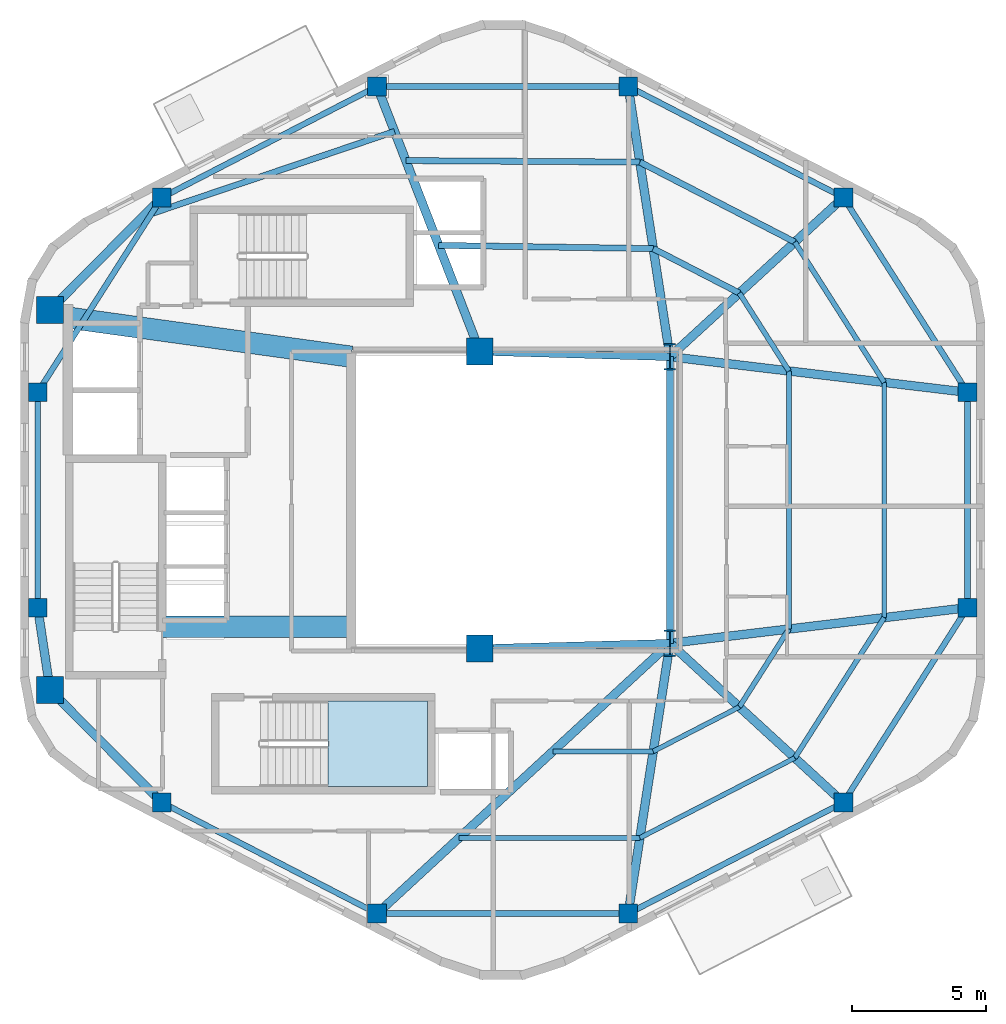
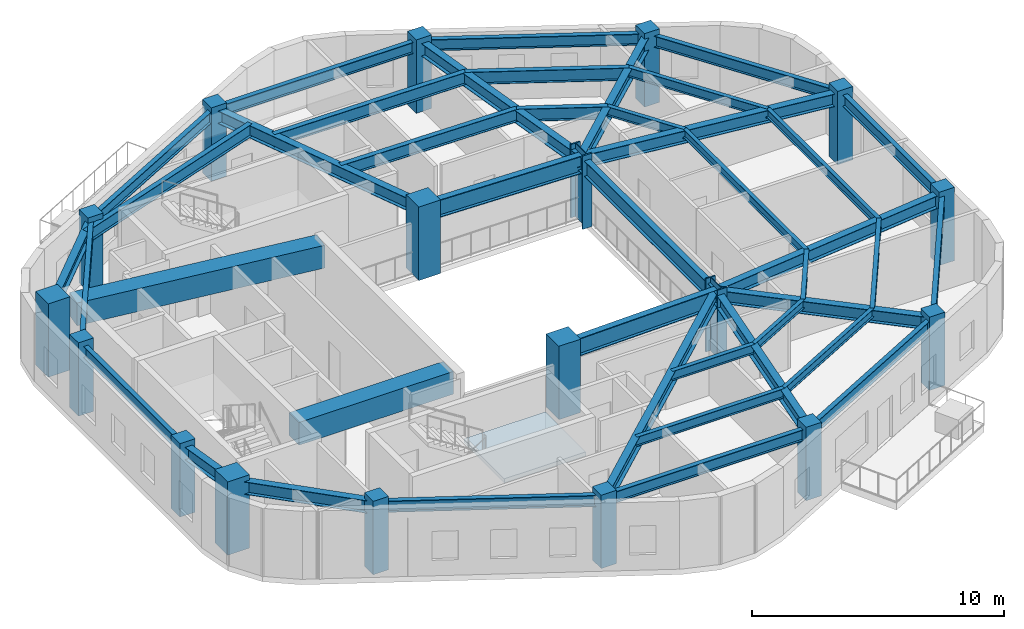
# One storey, part 1 of 7: 42 beams, 18 columns, 1 slab, 1 element without a shape of its own.
"""IFC4 building model written with IfcOpenShell, lengths in metres."""

from ifc_helpers import new_model, si_unit, direction, frame, origin, origin_2d, place, context, subcontext, project, spatial, polyline, rectangle, i_section, outline, extrude, material, layer, layer_set, material_profile, profile_set, type_object, element, aggregate, save


model = new_model("IFC4")

# Units and contexts
model_context = context("Model", 3, precision=1e-05, world=origin(), true_north=direction((0.0, 1.0)))
body_context = subcontext(model_context, "Body", "Model", "MODEL_VIEW")
ifc_project = project(units=[si_unit("LENGTHUNIT", "METRE"), si_unit("AREAUNIT", "SQUARE_METRE"), si_unit("VOLUMEUNIT", "CUBIC_METRE"), si_unit("PLANEANGLEUNIT", "RADIAN"), si_unit("MASSUNIT", "GRAM", prefix="KILO"), si_unit("THERMODYNAMICTEMPERATUREUNIT", "KELVIN"), si_unit("POWERUNIT", "WATT")], contexts=[model_context])

# Site, building, storey
site_placement = place(None, origin())
site = spatial("IfcSite", under=ifc_project, at=site_placement, CompositionType="ELEMENT")
building_placement = place(site_placement, origin())
building = spatial("IfcBuilding", under=site, at=building_placement, Name="Skarre Station Tower", CompositionType="ELEMENT")
storey_placement = place(building_placement, frame((0.0, 0.0, 249.0)))
storey = spatial("IfcBuildingStorey", under=building, at=storey_placement, Name="L68", CompositionType="ELEMENT", Elevation=249.0)

# Columns
ifc_material_1 = material(Name="Concrete C60/75", Category="concrete")
ifc_material_profile_1 = material_profile(ifc_material_1, rectangle(XDim=1.0, YDim=1.0, at=origin_2d()), Name="Concrete C60/75")
ifc_profile_set_1 = profile_set([ifc_material_profile_1], Name="Concrete C60/75")
column_type_1 = type_object("IfcColumnType", Name="RC Structural Column RC-COL-1000X1000", PredefinedType="COLUMN", material=ifc_profile_set_1)
for number, where, z_axis, x_axis, name in (
    (1, (16.300048828125, 16.89990234375, 0.0), (0.0, 0.0, 1.0), (1.0, 0.0, 0.0), "L68 Core Column CC-SW"),
    (2, (16.300048828125, 31.10009765625, 0.0), (0.0, 0.0, 1.0), (1.0, 0.0, 0.0), "L68 Core Column CC-NW"),
    (3, (32.35009765625, 18.449951171875, 0.0), (0.0, 0.0, 1.0), (1.0, 0.0, 0.0), "L68 Core Column CC-SE"),
    (4, (32.35009765625, 29.550048828125, 0.0), (0.0, 0.0, 1.0), (1.0, 0.0, 0.0), "L68 Core Column CC-NE"),
):
    element("IfcColumn", number, at=place(storey_placement, frame(where, z_axis=z_axis, x_axis=x_axis)), inside=storey, type_object=column_type_1, Name=name, PredefinedType="COLUMN", context=body_context, shape_type="SweptSolid", body=[
        extrude(rectangle(XDim=1.0, YDim=1.0, at=origin_2d()), origin(), (0.0, 0.0, 1.0), 3.550048828125),
    ])
ifc_material_2 = material(Name="Concrete C50/60", Category="concrete")
ifc_material_profile_2 = material_profile(ifc_material_2, rectangle(XDim=0.699951171875, YDim=0.699951171875, at=origin_2d()), Name="Concrete C50/60")
ifc_profile_set_2 = profile_set([ifc_material_profile_2], Name="Concrete C50/60")
column_type_2 = type_object("IfcColumnType", Name="RC Structural Column RC-COL-700X700", PredefinedType="COLUMN", material=ifc_profile_set_2)
for number, where, z_axis, x_axis, name in (
    (5, (45.927001953125, 35.298095703125, 0.0), (0.0, 0.0, 1.0), (1.0, 0.0, 0.0), "L68 Zone 4 Perimeter Column F0C1"),
    (6, (37.888916015625, 39.447021484375, 0.0), (0.0, 0.0, 1.0), (1.0, 0.0, 0.0), "L68 Zone 4 Perimeter Column F0C2"),
    (7, (28.510986328125, 39.447021484375, 0.0), (0.0, 0.0, 1.0), (1.0, 0.0, 0.0), "L68 Zone 4 Perimeter Column F1C1"),
    (8, (20.472900390625, 35.298095703125, 0.0), (0.0, 0.0, 1.0), (1.0, 0.0, 0.0), "L68 Zone 4 Perimeter Column F1C2"),
    (9, (15.8369140625, 28.02099609375, 0.0), (0.0, 0.0, 1.0), (1.0, 0.0, 0.0), "L68 Zone 4 Perimeter Column F2C1"),
    (10, (15.8369140625, 19.97900390625, 0.0), (0.0, 0.0, 1.0), (1.0, 0.0, 0.0), "L68 Zone 4 Perimeter Column F2C2"),
    (11, (20.472900390625, 12.701904296875, 0.0), (0.0, 0.0, 1.0), (1.0, 0.0, 0.0), "L68 Zone 4 Perimeter Column F3C1"),
    (12, (28.510986328125, 8.552978515625, 0.0), (0.0, 0.0, 1.0), (1.0, 0.0, 0.0), "L68 Zone 4 Perimeter Column F3C2"),
    (13, (37.888916015625, 8.552978515625, 0.0), (0.0, 0.0, 1.0), (1.0, 0.0, 0.0), "L68 Zone 4 Perimeter Column F4C1"),
    (14, (45.927001953125, 12.701904296875, 0.0), (0.0, 0.0, 1.0), (1.0, 0.0, 0.0), "L68 Zone 4 Perimeter Column F4C2"),
    (15, (50.56298828125, 19.97900390625, 0.0), (0.0, 0.0, 1.0), (1.0, 0.0, 0.0), "L68 Zone 4 Perimeter Column F5C1"),
    (16, (50.56298828125, 28.02099609375, 0.0), (0.0, 0.0, 1.0), (1.0, 0.0, 0.0), "L68 Zone 4 Perimeter Column F5C2"),
):
    element("IfcColumn", number, at=place(storey_placement, frame(where, z_axis=z_axis, x_axis=x_axis)), inside=storey, type_object=column_type_2, Name=name, PredefinedType="COLUMN", context=body_context, shape_type="SweptSolid", body=[
        extrude(rectangle(XDim=0.699951171875, YDim=0.699951171875, at=origin_2d()), origin(), (0.0, 0.0, 1.0), 3.550048828125),
    ])
ifc_material_3 = material(Name="Steel ASTM A913 Grade 65", Category="steel")
ifc_material_profile_3 = material_profile(ifc_material_3, i_section(OverallWidth=0.430908203125, OverallDepth=0.987060546875, WebThickness=0.033935546875, FlangeThickness=0.06201171875, at=origin_2d()), Name="Steel ASTM A913 Grade 65")
ifc_profile_set_3 = profile_set([ifc_material_profile_3], Name="Steel ASTM A913 Grade 65")
column_type_3 = type_object("IfcColumnType", Name="Steel Column W36X441", PredefinedType="COLUMN", material=ifc_profile_set_3)
for number, where, z_axis, x_axis, name in (
    (17, (39.449951171875, 18.64990234375, 0.0), (0.0, 0.0, 1.0), (1.0, 0.0, 0.0), "L68 Atrium Spine Column AC-SE"),
    (18, (39.449951171875, 29.35009765625, 0.0), (0.0, 0.0, 1.0), (1.0, 0.0, 0.0), "L68 Atrium Spine Column AC-NE"),
):
    element("IfcColumn", number, at=place(storey_placement, frame(where, z_axis=z_axis, x_axis=x_axis)), inside=storey, type_object=column_type_3, Name=name, PredefinedType="COLUMN", context=body_context, shape_type="SweptSolid", body=[
        extrude(i_section(OverallWidth=0.430908203125, OverallDepth=0.987060546875, WebThickness=0.033935546875, FlangeThickness=0.06201171875, at=origin_2d()), origin(), (0.0, 0.0, 1.0), 3.550048828125),
    ])

# Beams
ifc_material_4 = material(Name="Concrete C70/85", Category="concrete")
ifc_material_profile_4 = material_profile(ifc_material_4, rectangle(XDim=0.800048828125, YDim=1.10009765625, at=origin_2d()), Name="Concrete C70/85")
ifc_profile_set_4 = profile_set([ifc_material_profile_4], Name="Concrete C70/85")
beam_type_1 = type_object("IfcBeamType", Name="RC Core Coupling Lintel 800x1100", PredefinedType="LINTEL", material=ifc_profile_set_4)
beam_1_placement = place(storey_placement, frame((20.489990234375, 19.260009765625, 2.739990234375), z_axis=(1.0, 0.0, 0.0), x_axis=(0.0, 1.0, 0.0)))
element("IfcBeam", 19, at=beam_1_placement, inside=storey, type_object=beam_type_1, Name="L68 South Core Coupling Lintel", PredefinedType="LINTEL", context=body_context, shape_type="SweptSolid", body=[
    extrude(rectangle(XDim=0.800048828125, YDim=1.10009765625, at=origin_2d()), origin(), (0.0, 0.0, 1.0), 7.06005859375),
])
beam_2_placement = place(storey_placement, frame((17.050048828125, 30.800048828125, 2.739990234375), z_axis=(0.990599723633, -0.136792498109, 0.0), x_axis=(0.136792498109, 0.990599723633, 0.0)))
element("IfcBeam", 20, at=beam_2_placement, inside=storey, type_object=beam_type_1, Name="L68 North Core Coupling Lintel", PredefinedType="LINTEL", context=body_context, shape_type="SweptSolid", body=[
    extrude(rectangle(XDim=0.800048828125, YDim=1.10009765625, at=origin_2d()), origin(), (0.0, 0.0, 1.0), 10.599609375),
])
ifc_material_5 = material(Name="Steel ASTM A992 Grade 50", Category="steel")
ifc_material_profile_5 = material_profile(ifc_material_5, i_section(OverallWidth=0.323974609375, OverallDepth=0.611083984375, WebThickness=0.012939453125, FlangeThickness=0.01904296875, at=origin_2d()), Name="Steel ASTM A992 Grade 50")
ifc_profile_set_5 = profile_set([ifc_material_profile_5], Name="Steel ASTM A992 Grade 50")
beam_type_2 = type_object("IfcBeamType", Name="Steel Beam W24X104", PredefinedType="BEAM", material=ifc_profile_set_5)
beam_3_placement = place(storey_placement, frame((39.449951171875, 29.35009765625, 2.98388671875), z_axis=(0.736547671183, 0.676385635621, 0.0), x_axis=(-0.676385635621, 0.736547671183, 0.0)))
element("IfcBeam", 21, at=beam_3_placement, inside=storey, type_object=beam_type_2, Name="L68 Radial Floor Girder F0C1", PredefinedType="BEAM", context=body_context, shape_type="SweptSolid", body=[
    extrude(i_section(OverallWidth=0.323974609375, OverallDepth=0.611083984375, WebThickness=0.012939453125, FlangeThickness=0.01904296875, at=origin_2d()), origin(), (0.0, 0.0, 1.0), 8.793701171875),
])
beam_4_placement = place(storey_placement, frame((39.449951171875, 29.35009765625, 2.98388671875), z_axis=(-0.152789762931, 0.988258715288, 0.0), x_axis=(-0.988258715288, -0.152789762931, 0.0)))
element("IfcBeam", 22, at=beam_4_placement, inside=storey, type_object=beam_type_2, Name="L68 Radial Floor Girder F0C2", PredefinedType="BEAM", context=body_context, shape_type="SweptSolid", body=[
    extrude(i_section(OverallWidth=0.323974609375, OverallDepth=0.611083984375, WebThickness=0.012939453125, FlangeThickness=0.01904296875, at=origin_2d()), origin(), (0.0, 0.0, 1.0), 10.216796875),
])
beam_5_placement = place(storey_placement, frame((32.35009765625, 29.550048828125, 2.98388671875), z_axis=(-0.361651478681, 0.932313363611, 0.0), x_axis=(-0.932313363611, -0.361651478681, 0.0)))
element("IfcBeam", 23, at=beam_5_placement, inside=storey, type_object=beam_type_2, Name="L68 Radial Floor Girder F1C1", PredefinedType="BEAM", context=body_context, shape_type="SweptSolid", body=[
    extrude(i_section(OverallWidth=0.323974609375, OverallDepth=0.611083984375, WebThickness=0.012939453125, FlangeThickness=0.01904296875, at=origin_2d()), origin(), (0.0, 0.0, 1.0), 10.615478515625),
])
beam_6_placement = place(storey_placement, frame((16.300048828125, 31.10009765625, 2.98388671875), z_axis=(0.704979413242, 0.709227768002, 0.0), x_axis=(-0.709227768002, 0.704979413242, 0.0)))
element("IfcBeam", 24, at=beam_6_placement, inside=storey, type_object=beam_type_2, Name="L68 Radial Floor Girder F1C2", PredefinedType="BEAM", context=body_context, shape_type="SweptSolid", body=[
    extrude(i_section(OverallWidth=0.323974609375, OverallDepth=0.611083984375, WebThickness=0.012939453125, FlangeThickness=0.01904296875, at=origin_2d()), origin(), (0.0, 0.0, 1.0), 5.919189453125),
])
beam_7_placement = place(storey_placement, frame((16.300048828125, 16.89990234375, 2.98388671875), z_axis=(-0.148739188492, 0.988876460336, 0.0), x_axis=(-0.988876460336, -0.148739188492, 0.0)))
element("IfcBeam", 25, at=beam_7_placement, inside=storey, type_object=beam_type_2, Name="L68 Radial Floor Girder F2C2", PredefinedType="BEAM", context=body_context, shape_type="SweptSolid", body=[
    extrude(i_section(OverallWidth=0.323974609375, OverallDepth=0.611083984375, WebThickness=0.012939453125, FlangeThickness=0.01904296875, at=origin_2d()), origin(), (0.0, 0.0, 1.0), 3.11376953125),
])
beam_8_placement = place(storey_placement, frame((16.300048828125, 16.89990234375, 2.98388671875), z_axis=(0.704979413242, -0.709227768002, 0.0), x_axis=(0.709227768002, 0.704979413242, 0.0)))
element("IfcBeam", 26, at=beam_8_placement, inside=storey, type_object=beam_type_2, Name="L68 Radial Floor Girder F3C1", PredefinedType="BEAM", context=body_context, shape_type="SweptSolid", body=[
    extrude(i_section(OverallWidth=0.323974609375, OverallDepth=0.611083984375, WebThickness=0.012939453125, FlangeThickness=0.01904296875, at=origin_2d()), origin(), (0.0, 0.0, 1.0), 5.919189453125),
])
beam_9_placement = place(storey_placement, frame((39.449951171875, 18.64990234375, 2.98388671875), z_axis=(-0.734822935818, -0.678258986668, 0.0), x_axis=(0.678258986668, -0.734822935818, 0.0)))
element("IfcBeam", 27, at=beam_9_placement, inside=storey, type_object=beam_type_2, Name="L68 Radial Floor Girder F3C2", PredefinedType="BEAM", context=body_context, shape_type="SweptSolid", body=[
    extrude(i_section(OverallWidth=0.323974609375, OverallDepth=0.611083984375, WebThickness=0.012939453125, FlangeThickness=0.01904296875, at=origin_2d()), origin(), (0.0, 0.0, 1.0), 14.886474609375),
])
beam_10_placement = place(storey_placement, frame((39.449951171875, 18.64990234375, 2.98388671875), z_axis=(-0.152789762931, -0.988258715288, 0.0), x_axis=(0.988258715288, -0.152789762931, 0.0)))
element("IfcBeam", 28, at=beam_10_placement, inside=storey, type_object=beam_type_2, Name="L68 Radial Floor Girder F4C1", PredefinedType="BEAM", context=body_context, shape_type="SweptSolid", body=[
    extrude(i_section(OverallWidth=0.323974609375, OverallDepth=0.611083984375, WebThickness=0.012939453125, FlangeThickness=0.01904296875, at=origin_2d()), origin(), (0.0, 0.0, 1.0), 10.216796875),
])
beam_11_placement = place(storey_placement, frame((39.449951171875, 18.64990234375, 2.98388671875), z_axis=(0.736547671183, -0.676385635621, 0.0), x_axis=(0.676385635621, 0.736547671183, 0.0)))
element("IfcBeam", 29, at=beam_11_placement, inside=storey, type_object=beam_type_2, Name="L68 Radial Floor Girder F4C2", PredefinedType="BEAM", context=body_context, shape_type="SweptSolid", body=[
    extrude(i_section(OverallWidth=0.323974609375, OverallDepth=0.611083984375, WebThickness=0.012939453125, FlangeThickness=0.01904296875, at=origin_2d()), origin(), (0.0, 0.0, 1.0), 8.793701171875),
])
for number, where, z_axis, x_axis, name in (
    (30, (39.449951171875, 18.64990234375, 2.98388671875), (0.99292393128, 0.118752122891, 0.0), (-0.118752122891, 0.99292393128, 0.0), "L68 Radial Floor Girder F5C1"),
    (31, (39.449951171875, 29.35009765625, 2.98388671875), (0.99292393128, -0.118752122891, 0.0), (0.118752122891, 0.99292393128, 0.0), "L68 Radial Floor Girder F5C2"),
):
    element("IfcBeam", number, at=place(storey_placement, frame(where, z_axis=z_axis, x_axis=x_axis)), inside=storey, type_object=beam_type_2, Name=name, PredefinedType="BEAM", context=body_context, shape_type="SweptSolid", body=[
        extrude(i_section(OverallWidth=0.323974609375, OverallDepth=0.611083984375, WebThickness=0.012939453125, FlangeThickness=0.01904296875, at=origin_2d()), origin(), (0.0, 0.0, 1.0), 11.192138671875),
    ])
ifc_material_profile_6 = material_profile(ifc_material_5, i_section(OverallWidth=0.26806640625, OverallDepth=0.77001953125, WebThickness=0.01611328125, FlangeThickness=0.02490234375, at=origin_2d()), Name="Steel ASTM A992 Grade 50")
ifc_profile_set_6 = profile_set([ifc_material_profile_6], Name="Steel ASTM A992 Grade 50")
beam_type_3 = type_object("IfcBeamType", Name="Steel Beam W30X132", PredefinedType="BEAM", material=ifc_profile_set_6)
beam_12_placement = place(storey_placement, frame((39.449951171875, 18.64990234375, 2.905029296875), z_axis=(0.0, 1.0, 0.0), x_axis=(-1.0, 0.0, 0.0)))
element("IfcBeam", 32, at=beam_12_placement, inside=storey, type_object=beam_type_3, Name="L68 Atrium East Edge Girder", PredefinedType="BEAM", context=body_context, shape_type="SweptSolid", body=[
    extrude(i_section(OverallWidth=0.26806640625, OverallDepth=0.77001953125, WebThickness=0.01611328125, FlangeThickness=0.02490234375, at=origin_2d()), origin(), (0.0, 0.0, 1.0), 10.7001953125),
])
ifc_material_profile_7 = material_profile(ifc_material_5, i_section(OverallWidth=0.2919921875, OverallDepth=0.85888671875, WebThickness=0.01708984375, FlangeThickness=0.031005859375, at=origin_2d()), Name="Steel ASTM A992 Grade 50")
ifc_profile_set_7 = profile_set([ifc_material_profile_7], Name="Steel ASTM A992 Grade 50")
beam_type_4 = type_object("IfcBeamType", Name="Steel Beam W33X169", PredefinedType="BEAM", material=ifc_profile_set_7)
for number, where, z_axis, x_axis, name in (
    (33, (32.35009765625, 18.449951171875, 2.861083984375), (0.999603666405, 0.028151556095, 0.0), (-0.028151556095, 0.999603666405, 0.0), "L68 Atrium South Edge Girder"),
    (34, (32.35009765625, 29.550048828125, 2.861083984375), (0.999603666405, -0.028151556095, 0.0), (0.028151556095, 0.999603666405, 0.0), "L68 Atrium North Edge Girder"),
):
    element("IfcBeam", number, at=place(storey_placement, frame(where, z_axis=z_axis, x_axis=x_axis)), inside=storey, type_object=beam_type_4, Name=name, PredefinedType="BEAM", context=body_context, shape_type="SweptSolid", body=[
        extrude(i_section(OverallWidth=0.2919921875, OverallDepth=0.85888671875, WebThickness=0.01708984375, FlangeThickness=0.031005859375, at=origin_2d()), origin(), (0.0, 0.0, 1.0), 7.102783203125),
    ])
ifc_material_profile_8 = material_profile(ifc_material_5, i_section(OverallWidth=0.177978515625, OverallDepth=0.403076171875, WebThickness=0.008056640625, FlangeThickness=0.010986328125, at=origin_2d()), Name="Steel ASTM A992 Grade 50")
ifc_profile_set_8 = profile_set([ifc_material_profile_8], Name="Steel ASTM A992 Grade 50")
beam_type_5 = type_object("IfcBeamType", Name="Steel Joist W16X36", PredefinedType="JOIST", material=ifc_profile_set_8)
beam_13_placement = place(storey_placement, frame((38.825927734375, 14.611083984375, 3.087890625), z_axis=(0.888562989562, 0.458754633308, 0.0), x_axis=(-0.458754633308, 0.888562989562, 0.0)))
element("IfcBeam", 35, at=beam_13_placement, inside=storey, type_object=beam_type_5, Name="L68 Auxiliary Composite Joist 11", PredefinedType="JOIST", context=body_context, shape_type="SweptSolid", body=[
    extrude(i_section(OverallWidth=0.177978515625, OverallDepth=0.403076171875, WebThickness=0.008056640625, FlangeThickness=0.010986328125, at=origin_2d()), origin(), (0.0, 0.0, 1.0), 3.618408203125),
])
beam_14_placement = place(storey_placement, frame((38.325927734375, 11.3798828125, 3.087890625), z_axis=(0.888610306875, 0.458662972689, 0.0), x_axis=(-0.458662972689, 0.888610306875, 0.0)))
element("IfcBeam", 36, at=beam_14_placement, inside=storey, type_object=beam_type_5, Name="L68 Auxiliary Composite Joist 12", PredefinedType="JOIST", context=body_context, shape_type="SweptSolid", body=[
    extrude(i_section(OverallWidth=0.177978515625, OverallDepth=0.403076171875, WebThickness=0.008056640625, FlangeThickness=0.010986328125, at=origin_2d()), origin(), (0.0, 0.0, 1.0), 6.512451171875),
])
beam_15_placement = place(storey_placement, frame((43.89501953125, 19.181884765625, 3.087890625), z_axis=(0.0, 1.0, 0.0), x_axis=(-1.0, 0.0, 0.0)))
element("IfcBeam", 37, at=beam_15_placement, inside=storey, type_object=beam_type_5, Name="L68 Auxiliary Composite Joist 15", PredefinedType="JOIST", context=body_context, shape_type="SweptSolid", body=[
    extrude(i_section(OverallWidth=0.177978515625, OverallDepth=0.403076171875, WebThickness=0.008056640625, FlangeThickness=0.010986328125, at=origin_2d()), origin(), (0.0, 0.0, 1.0), 9.63623046875),
])
beam_16_placement = place(storey_placement, frame((47.450927734375, 19.60693359375, 3.087890625), z_axis=(0.0, 1.0, 0.0), x_axis=(-1.0, 0.0, 0.0)))
element("IfcBeam", 38, at=beam_16_placement, inside=storey, type_object=beam_type_5, Name="L68 Auxiliary Composite Joist 16", PredefinedType="JOIST", context=body_context, shape_type="SweptSolid", body=[
    extrude(i_section(OverallWidth=0.177978515625, OverallDepth=0.403076171875, WebThickness=0.008056640625, FlangeThickness=0.010986328125, at=origin_2d()), origin(), (0.0, 0.0, 1.0), 8.7861328125),
])
ifc_material_profile_9 = material_profile(ifc_material_5, i_section(OverallWidth=0.19091796875, OverallDepth=0.45703125, WebThickness=0.009033203125, FlangeThickness=0.013916015625, at=origin_2d()), Name="Steel ASTM A992 Grade 50")
ifc_profile_set_9 = profile_set([ifc_material_profile_9], Name="Steel ASTM A992 Grade 50")
beam_type_6 = type_object("IfcBeamType", Name="Steel Joist W18X50", PredefinedType="JOIST", material=ifc_profile_set_9)
beam_17_placement = place(storey_placement, frame((35.073974609375, 14.611083984375, 3.06103515625), z_axis=(1.0, 0.0, 0.0), x_axis=(0.0, 1.0, 0.0)))
element("IfcBeam", 39, at=beam_17_placement, inside=storey, type_object=beam_type_6, Name="L68 Auxiliary Composite Joist 9", PredefinedType="JOIST", context=body_context, shape_type="SweptSolid", body=[
    extrude(i_section(OverallWidth=0.19091796875, OverallDepth=0.45703125, WebThickness=0.009033203125, FlangeThickness=0.013916015625, at=origin_2d()), origin(), (0.0, 0.0, 1.0), 3.751953125),
])
beam_18_placement = place(storey_placement, frame((31.573974609375, 11.3798828125, 3.06103515625), z_axis=(1.0, 0.0, 0.0), x_axis=(0.0, 1.0, 0.0)))
element("IfcBeam", 40, at=beam_18_placement, inside=storey, type_object=beam_type_6, Name="L68 Auxiliary Composite Joist 10", PredefinedType="JOIST", context=body_context, shape_type="SweptSolid", body=[
    extrude(i_section(OverallWidth=0.19091796875, OverallDepth=0.45703125, WebThickness=0.009033203125, FlangeThickness=0.013916015625, at=origin_2d()), origin(), (0.0, 0.0, 1.0), 6.751953125),
])
beam_19_placement = place(storey_placement, frame((42.041015625, 16.27099609375, 3.06103515625), z_axis=(0.537209598798, 0.843448781468, 0.0), x_axis=(-0.843448781468, 0.537209598798, 0.0)))
element("IfcBeam", 41, at=beam_19_placement, inside=storey, type_object=beam_type_6, Name="L68 Auxiliary Composite Joist 13", PredefinedType="JOIST", context=body_context, shape_type="SweptSolid", body=[
    extrude(i_section(OverallWidth=0.19091796875, OverallDepth=0.45703125, WebThickness=0.009033203125, FlangeThickness=0.013916015625, at=origin_2d()), origin(), (0.0, 0.0, 1.0), 3.451171875),
])
beam_20_placement = place(storey_placement, frame((44.113037109375, 14.366943359375, 3.06103515625), z_axis=(0.537259384828, 0.843417069672, 0.0), x_axis=(-0.843417069672, 0.537259384828, 0.0)))
element("IfcBeam", 42, at=beam_20_placement, inside=storey, type_object=beam_type_6, Name="L68 Auxiliary Composite Joist 14", PredefinedType="JOIST", context=body_context, shape_type="SweptSolid", body=[
    extrude(i_section(OverallWidth=0.19091796875, OverallDepth=0.45703125, WebThickness=0.009033203125, FlangeThickness=0.013916015625, at=origin_2d()), origin(), (0.0, 0.0, 1.0), 6.212890625),
])
beam_21_placement = place(storey_placement, frame((43.89501953125, 28.818115234375, 3.06103515625), z_axis=(-0.537209598798, 0.843448781468, 0.0), x_axis=(-0.843448781468, -0.537209598798, 0.0)))
element("IfcBeam", 43, at=beam_21_placement, inside=storey, type_object=beam_type_6, Name="L68 Auxiliary Composite Joist 17", PredefinedType="JOIST", context=body_context, shape_type="SweptSolid", body=[
    extrude(i_section(OverallWidth=0.19091796875, OverallDepth=0.45703125, WebThickness=0.009033203125, FlangeThickness=0.013916015625, at=origin_2d()), origin(), (0.0, 0.0, 1.0), 3.451171875),
])
beam_22_placement = place(storey_placement, frame((47.450927734375, 28.39306640625, 3.06103515625), z_axis=(-0.537259384828, 0.843417069672, 0.0), x_axis=(-0.843417069672, -0.537259384828, 0.0)))
element("IfcBeam", 44, at=beam_22_placement, inside=storey, type_object=beam_type_6, Name="L68 Auxiliary Composite Joist 18", PredefinedType="JOIST", context=body_context, shape_type="SweptSolid", body=[
    extrude(i_section(OverallWidth=0.19091796875, OverallDepth=0.45703125, WebThickness=0.009033203125, FlangeThickness=0.013916015625, at=origin_2d()), origin(), (0.0, 0.0, 1.0), 6.212890625),
])
ifc_material_profile_10 = material_profile(ifc_material_5, i_section(OverallWidth=0.22802734375, OverallDepth=0.60791015625, WebThickness=0.010986328125, FlangeThickness=0.01708984375, at=origin_2d()), Name="Steel ASTM A992 Grade 50")
ifc_profile_set_10 = profile_set([ifc_material_profile_10], Name="Steel ASTM A992 Grade 50")
beam_type_7 = type_object("IfcBeamType", Name="Steel Joist W24X76", PredefinedType="JOIST", material=ifc_profile_set_10)
beam_23_placement = place(storey_placement, frame((42.041015625, 31.72900390625, 2.986083984375), z_axis=(-0.888562989562, 0.458754633308, 0.0), x_axis=(-0.458754633308, -0.888562989562, 0.0)))
element("IfcBeam", 45, at=beam_23_placement, inside=storey, type_object=beam_type_7, Name="L68 Secondary Floor Joist 1", PredefinedType="JOIST", context=body_context, shape_type="SweptSolid", body=[
    extrude(i_section(OverallWidth=0.22802734375, OverallDepth=0.60791015625, WebThickness=0.010986328125, FlangeThickness=0.01708984375, at=origin_2d()), origin(), (0.0, 0.0, 1.0), 3.618408203125),
])
beam_24_placement = place(storey_placement, frame((44.113037109375, 33.633056640625, 2.986083984375), z_axis=(-0.888610306875, 0.458662972689, 0.0), x_axis=(-0.458662972689, -0.888610306875, 0.0)))
element("IfcBeam", 46, at=beam_24_placement, inside=storey, type_object=beam_type_7, Name="L68 Secondary Floor Joist 2", PredefinedType="JOIST", context=body_context, shape_type="SweptSolid", body=[
    extrude(i_section(OverallWidth=0.22802734375, OverallDepth=0.60791015625, WebThickness=0.010986328125, FlangeThickness=0.01708984375, at=origin_2d()), origin(), (0.0, 0.0, 1.0), 6.512451171875),
])
beam_25_placement = place(storey_placement, frame((38.825927734375, 33.388916015625, 2.986083984375), z_axis=(-0.999887635467, 0.014990545042, 0.0), x_axis=(-0.014990545042, -0.999887635467, 0.0)))
element("IfcBeam", 47, at=beam_25_placement, inside=storey, type_object=beam_type_7, Name="L68 Secondary Floor Joist 3", PredefinedType="JOIST", context=body_context, shape_type="SweptSolid", body=[
    extrude(i_section(OverallWidth=0.22802734375, OverallDepth=0.60791015625, WebThickness=0.010986328125, FlangeThickness=0.01708984375, at=origin_2d()), origin(), (0.0, 0.0, 1.0), 8.012939453125),
])
beam_26_placement = place(storey_placement, frame((38.325927734375, 36.6201171875, 2.986083984375), z_axis=(-0.999979540932, 0.006396695854, 0.0), x_axis=(-0.006396695854, -0.999979540932, 0.0)))
element("IfcBeam", 48, at=beam_26_placement, inside=storey, type_object=beam_type_7, Name="L68 Secondary Floor Joist 4", PredefinedType="JOIST", context=body_context, shape_type="SweptSolid", body=[
    extrude(i_section(OverallWidth=0.22802734375, OverallDepth=0.60791015625, WebThickness=0.010986328125, FlangeThickness=0.01708984375, at=origin_2d()), origin(), (0.0, 0.0, 1.0), 8.740234375),
])
beam_27_placement = place(storey_placement, frame((29.1640625, 37.764892578125, 2.986083984375), z_axis=(-0.947236771085, -0.320534708736, 0.0), x_axis=(0.320534708736, -0.947236771085, 0.0)))
element("IfcBeam", 49, at=beam_27_placement, inside=storey, type_object=beam_type_7, Name="L68 Secondary Floor Joist 6", PredefinedType="JOIST", context=body_context, shape_type="SweptSolid", body=[
    extrude(i_section(OverallWidth=0.22802734375, OverallDepth=0.60791015625, WebThickness=0.010986328125, FlangeThickness=0.01708984375, at=origin_2d()), origin(), (0.0, 0.0, 1.0), 9.923828125),
])
ifc_material_profile_11 = material_profile(ifc_material_5, i_section(OverallWidth=0.214111328125, OverallDepth=0.549072265625, WebThickness=0.014892578125, FlangeThickness=0.02392578125, at=origin_2d()), Name="Steel ASTM A992 Grade 50")
ifc_profile_set_11 = profile_set([ifc_material_profile_11], Name="Steel ASTM A992 Grade 50")
beam_type_8 = type_object("IfcBeamType", Name="Steel Spandrel W21X93", PredefinedType="SPANDREL", material=ifc_profile_set_11)
beam_28_placement = place(storey_placement, frame((45.927001953125, 35.298095703125, 3.01611328125), z_axis=(-0.888610011727, 0.458663544505, 0.0), x_axis=(-0.458663544505, -0.888610011727, 0.0)))
element("IfcBeam", 50, at=beam_28_placement, inside=storey, type_object=beam_type_8, Name="L68 Facet Spandrel Beam 1", PredefinedType="SPANDREL", context=body_context, shape_type="SweptSolid", body=[
    extrude(i_section(OverallWidth=0.214111328125, OverallDepth=0.549072265625, WebThickness=0.014892578125, FlangeThickness=0.02392578125, at=origin_2d()), origin(), (0.0, 0.0, 1.0), 9.045654296875),
])
beam_29_placement = place(storey_placement, frame((37.888916015625, 39.447021484375, 3.01611328125), z_axis=(-1.0, 0.0, 0.0), x_axis=(0.0, -1.0, 0.0)))
element("IfcBeam", 51, at=beam_29_placement, inside=storey, type_object=beam_type_8, Name="L68 Facet Spandrel Beam 2", PredefinedType="SPANDREL", context=body_context, shape_type="SweptSolid", body=[
    extrude(i_section(OverallWidth=0.214111328125, OverallDepth=0.549072265625, WebThickness=0.014892578125, FlangeThickness=0.02392578125, at=origin_2d()), origin(), (0.0, 0.0, 1.0), 9.3779296875),
])
beam_30_placement = place(storey_placement, frame((28.510986328125, 39.447021484375, 3.01611328125), z_axis=(-0.888610011727, -0.458663544505, 0.0), x_axis=(0.458663544505, -0.888610011727, 0.0)))
element("IfcBeam", 52, at=beam_30_placement, inside=storey, type_object=beam_type_8, Name="L68 Facet Spandrel Beam 3", PredefinedType="SPANDREL", context=body_context, shape_type="SweptSolid", body=[
    extrude(i_section(OverallWidth=0.214111328125, OverallDepth=0.549072265625, WebThickness=0.014892578125, FlangeThickness=0.02392578125, at=origin_2d()), origin(), (0.0, 0.0, 1.0), 9.045654296875),
])
beam_31_placement = place(storey_placement, frame((20.472900390625, 35.298095703125, 3.01611328125), z_axis=(-0.537296523663, -0.843393410965, 0.0), x_axis=(0.843393410965, -0.537296523663, 0.0)))
element("IfcBeam", 53, at=beam_31_placement, inside=storey, type_object=beam_type_8, Name="L68 Facet Spandrel Beam 4", PredefinedType="SPANDREL", context=body_context, shape_type="SweptSolid", body=[
    extrude(i_section(OverallWidth=0.214111328125, OverallDepth=0.549072265625, WebThickness=0.014892578125, FlangeThickness=0.02392578125, at=origin_2d()), origin(), (0.0, 0.0, 1.0), 8.62841796875),
])
beam_32_placement = place(storey_placement, frame((15.8369140625, 28.02099609375, 3.01611328125), z_axis=(0.0, -1.0, 0.0), x_axis=(1.0, 0.0, 0.0)))
element("IfcBeam", 54, at=beam_32_placement, inside=storey, type_object=beam_type_8, Name="L68 Facet Spandrel Beam 5", PredefinedType="SPANDREL", context=body_context, shape_type="SweptSolid", body=[
    extrude(i_section(OverallWidth=0.214111328125, OverallDepth=0.549072265625, WebThickness=0.014892578125, FlangeThickness=0.02392578125, at=origin_2d()), origin(), (0.0, 0.0, 1.0), 8.0419921875),
])
beam_33_placement = place(storey_placement, frame((20.472900390625, 12.701904296875, 3.01611328125), z_axis=(0.888610011727, -0.458663544505, 0.0), x_axis=(0.458663544505, 0.888610011727, 0.0)))
element("IfcBeam", 55, at=beam_33_placement, inside=storey, type_object=beam_type_8, Name="L68 Facet Spandrel Beam 7", PredefinedType="SPANDREL", context=body_context, shape_type="SweptSolid", body=[
    extrude(i_section(OverallWidth=0.214111328125, OverallDepth=0.549072265625, WebThickness=0.014892578125, FlangeThickness=0.02392578125, at=origin_2d()), origin(), (0.0, 0.0, 1.0), 9.045654296875),
])
beam_34_placement = place(storey_placement, frame((28.510986328125, 8.552978515625, 3.01611328125), z_axis=(1.0, 0.0, 0.0), x_axis=(0.0, 1.0, 0.0)))
element("IfcBeam", 56, at=beam_34_placement, inside=storey, type_object=beam_type_8, Name="L68 Facet Spandrel Beam 8", PredefinedType="SPANDREL", context=body_context, shape_type="SweptSolid", body=[
    extrude(i_section(OverallWidth=0.214111328125, OverallDepth=0.549072265625, WebThickness=0.014892578125, FlangeThickness=0.02392578125, at=origin_2d()), origin(), (0.0, 0.0, 1.0), 9.3779296875),
])
beam_35_placement = place(storey_placement, frame((37.888916015625, 8.552978515625, 3.01611328125), z_axis=(0.888610011727, 0.458663544505, 0.0), x_axis=(-0.458663544505, 0.888610011727, 0.0)))
element("IfcBeam", 57, at=beam_35_placement, inside=storey, type_object=beam_type_8, Name="L68 Facet Spandrel Beam 9", PredefinedType="SPANDREL", context=body_context, shape_type="SweptSolid", body=[
    extrude(i_section(OverallWidth=0.214111328125, OverallDepth=0.549072265625, WebThickness=0.014892578125, FlangeThickness=0.02392578125, at=origin_2d()), origin(), (0.0, 0.0, 1.0), 9.045654296875),
])
beam_36_placement = place(storey_placement, frame((45.927001953125, 12.701904296875, 3.01611328125), z_axis=(0.537296523663, 0.843393410965, 0.0), x_axis=(-0.843393410965, 0.537296523663, 0.0)))
element("IfcBeam", 58, at=beam_36_placement, inside=storey, type_object=beam_type_8, Name="L68 Facet Spandrel Beam 10", PredefinedType="SPANDREL", context=body_context, shape_type="SweptSolid", body=[
    extrude(i_section(OverallWidth=0.214111328125, OverallDepth=0.549072265625, WebThickness=0.014892578125, FlangeThickness=0.02392578125, at=origin_2d()), origin(), (0.0, 0.0, 1.0), 8.62841796875),
])
beam_37_placement = place(storey_placement, frame((50.56298828125, 19.97900390625, 3.01611328125), z_axis=(0.0, 1.0, 0.0), x_axis=(-1.0, 0.0, 0.0)))
element("IfcBeam", 59, at=beam_37_placement, inside=storey, type_object=beam_type_8, Name="L68 Facet Spandrel Beam 11", PredefinedType="SPANDREL", context=body_context, shape_type="SweptSolid", body=[
    extrude(i_section(OverallWidth=0.214111328125, OverallDepth=0.549072265625, WebThickness=0.014892578125, FlangeThickness=0.02392578125, at=origin_2d()), origin(), (0.0, 0.0, 1.0), 8.0419921875),
])
beam_38_placement = place(storey_placement, frame((50.56298828125, 28.02099609375, 3.01611328125), z_axis=(-0.537296523663, 0.843393410965, 0.0), x_axis=(-0.843393410965, -0.537296523663, 0.0)))
element("IfcBeam", 60, at=beam_38_placement, inside=storey, type_object=beam_type_8, Name="L68 Facet Spandrel Beam 12", PredefinedType="SPANDREL", context=body_context, shape_type="SweptSolid", body=[
    extrude(i_section(OverallWidth=0.214111328125, OverallDepth=0.549072265625, WebThickness=0.014892578125, FlangeThickness=0.02392578125, at=origin_2d()), origin(), (0.0, 0.0, 1.0), 8.62841796875),
])

# Stair, slab
ifc_material_6 = material(Name="Concrete C40/50", Category="concrete")
stair_type = type_object("IfcStairType", Name="Reinforced Concrete Exit Stair ST-2", PredefinedType="HALF_TURN_STAIR", material=ifc_material_6)
stair_placement = place(storey_placement, origin())
stair = element("IfcStair", 61, at=stair_placement, inside=storey, type_object=stair_type, Name="L68 Core Exit Stair ST-2", PredefinedType="HALF_TURN_STAIR")
ifc_layer = layer(ifc_material_6, 0.219970703125, Name="Concrete C40/50")
ifc_layer_set = layer_set([ifc_layer], Name="Concrete C40/50")
slab_type = type_object("IfcSlabType", Name="Reinforced Concrete Stair & Ramp Landing 220", PredefinedType="LANDING", material=ifc_layer_set)
slab_placement = place(storey_placement, frame((0.0, 0.0, 1.574951171875)))
slab = element("IfcSlab", 62, at=slab_placement, type_object=slab_type, Name="ST-2 landing 1", PredefinedType="LANDING", context=body_context, shape_type="SweptSolid", body=[
    extrude(outline(polyline([(26.669921875, 13.300048828125), (30.39990234375, 13.300048828125), (30.39990234375, 16.5), (26.669921875, 16.5), (26.669921875, 13.300048828125)])), origin(), (0.0, 0.0, 1.0), 0.199951171875),
])
aggregate(stair, [slab])

save(model, "model.ifc")
